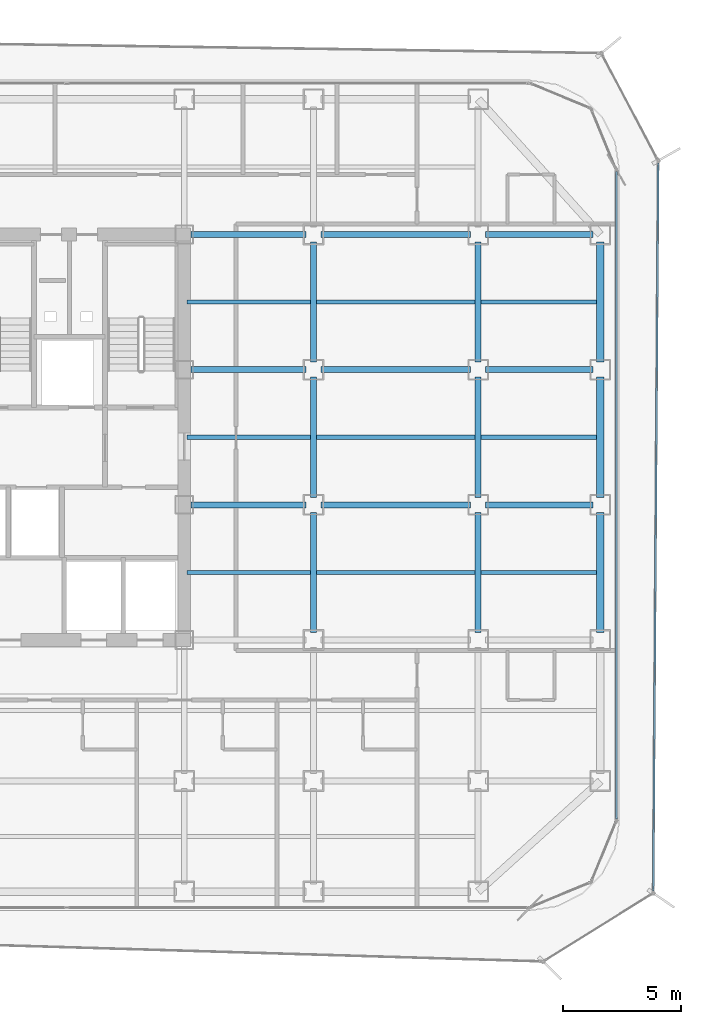
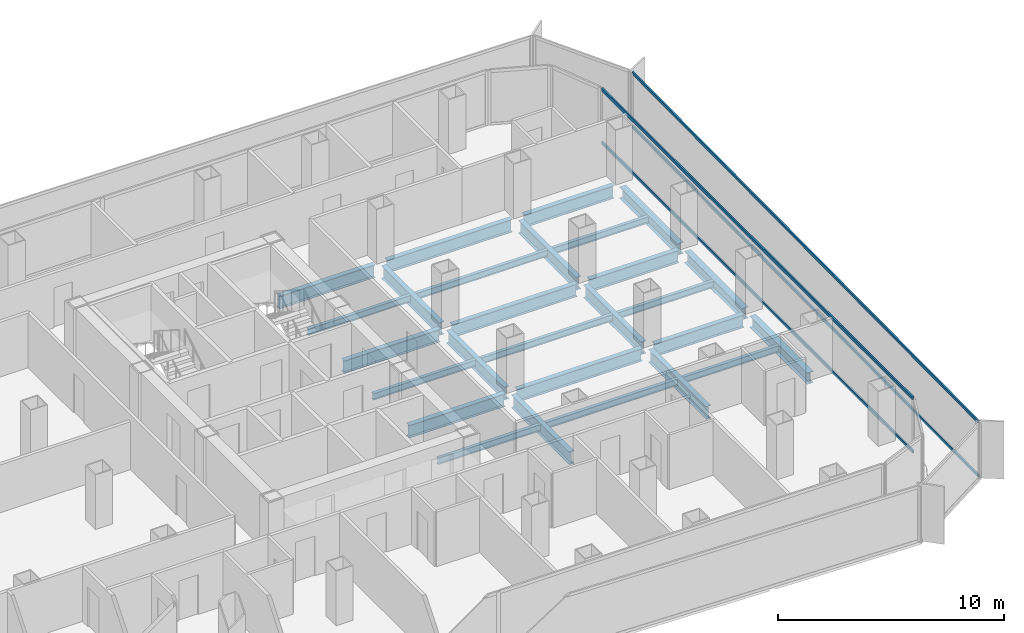
# One storey, part 9 of 21: 27 beams, 4 members, 2 elements without a shape of their own.
"""IFC4 building model written with IfcOpenShell, lengths in metres."""

from ifc_helpers import new_model, si_unit, direction, frame, origin, origin_2d, place, context, subcontext, project, spatial, hollow_rectangle, i_section, extrude, source, transform, mapped, material, layer, layer_set, material_profile, profile_set, type_object, element, aggregate, save


model = new_model("IFC4")

# Units and contexts
model_context = context("Model", 3, precision=1e-05, world=origin(), true_north=direction((0.0, 1.0)))
body_context = subcontext(model_context, "Body", "Model", "MODEL_VIEW")
ifc_project = project(units=[si_unit("LENGTHUNIT", "METRE"), si_unit("AREAUNIT", "SQUARE_METRE"), si_unit("VOLUMEUNIT", "CUBIC_METRE"), si_unit("PLANEANGLEUNIT", "RADIAN"), si_unit("MASSUNIT", "GRAM", prefix="KILO")], contexts=[model_context])

# Site, building, storey
site_placement = place(None, origin())
site = spatial("IfcSite", under=ifc_project, at=site_placement, CompositionType="ELEMENT")
building_placement = place(site_placement, origin())
building = spatial("IfcBuilding", under=site, at=building_placement, Name="Kolveth Station Tower", CompositionType="ELEMENT")
storey_placement = place(building_placement, frame((0.0, 0.0, 115.10009765625)))
storey = spatial("IfcBuildingStorey", under=building, at=storey_placement, Name="L31", CompositionType="ELEMENT", Elevation=115.10009765625)

# Beams
ifc_material_1 = material(Name="Steel S355", Category="steel")
ifc_material_profile_1 = material_profile(ifc_material_1, i_section(OverallWidth=0.323974609375, OverallDepth=0.611083984375, WebThickness=0.0126953125, FlangeThickness=0.01904296875, at=origin_2d()), Name="W610x155")
ifc_profile_set_1 = profile_set([ifc_material_profile_1], Name="Steel S355")
beam_type_1 = type_object("IfcBeamType", Name="Beam_SP2", PredefinedType="SPANDREL", material=ifc_profile_set_1)
shared_shape_1 = source(origin(), body_context, "Body", "SweptSolid", [
    extrude(i_section(OverallWidth=0.323974609375, OverallDepth=0.611083984375, WebThickness=0.0126953125, FlangeThickness=0.01904296875, at=origin_2d()), origin(), (0.0, 0.0, 1.0), 5.10986328125),
])
for number, where, z_axis, x_axis, name in (
    (1, (46.199951171875, 11.820068359375, -0.5556640625), (0.0, 1.0, 0.0), (-1.0, 0.0, 0.0), "L31 Perimeter Spandrel BM-L31-PE-2"),
    (2, (46.199951171875, 17.570068359375, -0.5556640625), (0.0, 1.0, 0.0), (-1.0, 0.0, 0.0), "L31 Perimeter Spandrel BM-L31-PE-3"),
    (3, (46.199951171875, 23.320068359375, -0.5556640625), (0.0, 1.0, 0.0), (-1.0, 0.0, 0.0), "L31 Perimeter Spandrel BM-L31-PE-4"),
):
    element("IfcBeam", number, at=place(storey_placement, frame(where, z_axis=z_axis, x_axis=x_axis)), inside=storey, type_object=beam_type_1, Name=name, PredefinedType="SPANDREL", context=body_context, shape_type="MappedRepresentation", body=[
        mapped(shared_shape_1, transform((0.0, 0.0, 0.0), x_axis=(1.0, 0.0, 0.0), y_axis=(0.0, 1.0, 0.0), z_axis=(0.0, 0.0, 1.0), scale=1.0)),
    ])
ifc_material_profile_2 = material_profile(ifc_material_1, i_section(OverallWidth=0.25390625, OverallDepth=0.68798828125, WebThickness=0.01318359375, FlangeThickness=0.02099609375, at=origin_2d()), Name="W690x152")
ifc_profile_set_2 = profile_set([ifc_material_profile_2], Name="Steel S355")
beam_type_2 = type_object("IfcBeamType", Name="Beam_B4", PredefinedType="BEAM", material=ifc_profile_set_2)
shared_shape_2 = source(origin(), body_context, "Body", "SweptSolid", [
    extrude(i_section(OverallWidth=0.25390625, OverallDepth=0.68798828125, WebThickness=0.01318359375, FlangeThickness=0.02099609375, at=origin_2d()), origin(), (0.0, 0.0, 1.0), 4.559814453125),
])
for number, where, z_axis, x_axis, name in (
    (4, (41.320068359375, 17.25, -0.593994140625), (1.0, 0.0, 0.0), (0.0, 1.0, 0.0), "L31 Primary Girder BM-L31-GY172-7"),
    (5, (41.320068359375, 23.0, -0.593994140625), (1.0, 0.0, 0.0), (0.0, 1.0, 0.0), "L31 Primary Girder BM-L31-GY230-7"),
    (6, (41.320068359375, 28.75, -0.593994140625), (1.0, 0.0, 0.0), (0.0, 1.0, 0.0), "L31 Primary Girder BM-L31-GY287-7"),
):
    element("IfcBeam", number, at=place(storey_placement, frame(where, z_axis=z_axis, x_axis=x_axis)), inside=storey, type_object=beam_type_2, Name=name, PredefinedType="BEAM", context=body_context, shape_type="MappedRepresentation", body=[
        mapped(shared_shape_2, transform((0.0, 0.0, 0.0), x_axis=(1.0, 0.0, 0.0), y_axis=(0.0, 1.0, 0.0), z_axis=(0.0, 0.0, 1.0), scale=1.0)),
    ])
shared_shape_3 = source(origin(), body_context, "Body", "SweptSolid", [
    extrude(i_section(OverallWidth=0.25390625, OverallDepth=0.68798828125, WebThickness=0.01318359375, FlangeThickness=0.02099609375, at=origin_2d()), origin(), (0.0, 0.0, 1.0), 6.35986328125),
])
for number, where, z_axis, x_axis, name in (
    (7, (34.320068359375, 17.25, -0.593994140625), (1.0, 0.0, 0.0), (0.0, 1.0, 0.0), "L31 Primary Girder BM-L31-GY172-6"),
    (8, (34.320068359375, 23.0, -0.593994140625), (1.0, 0.0, 0.0), (0.0, 1.0, 0.0), "L31 Primary Girder BM-L31-GY230-6"),
    (9, (34.320068359375, 28.75, -0.593994140625), (1.0, 0.0, 0.0), (0.0, 1.0, 0.0), "L31 Primary Girder BM-L31-GY287-6"),
):
    element("IfcBeam", number, at=place(storey_placement, frame(where, z_axis=z_axis, x_axis=x_axis)), inside=storey, type_object=beam_type_2, Name=name, PredefinedType="BEAM", context=body_context, shape_type="MappedRepresentation", body=[
        mapped(shared_shape_3, transform((0.0, 0.0, 0.0), x_axis=(1.0, 0.0, 0.0), y_axis=(0.0, 1.0, 0.0), z_axis=(0.0, 0.0, 1.0), scale=1.0)),
    ])
shared_shape_4 = source(origin(), body_context, "Body", "SweptSolid", [
    extrude(i_section(OverallWidth=0.25390625, OverallDepth=0.68798828125, WebThickness=0.01318359375, FlangeThickness=0.02099609375, at=origin_2d()), origin(), (0.0, 0.0, 1.0), 4.89990234375),
])
for number, where, z_axis, x_axis, name in (
    (10, (28.780029296875, 17.25, -0.593994140625), (1.0, 0.0, 0.0), (0.0, 1.0, 0.0), "L31 Primary Girder BM-L31-GY172-5"),
    (11, (28.780029296875, 23.0, -0.593994140625), (1.0, 0.0, 0.0), (0.0, 1.0, 0.0), "L31 Primary Girder BM-L31-GY230-5"),
    (12, (28.780029296875, 28.75, -0.593994140625), (1.0, 0.0, 0.0), (0.0, 1.0, 0.0), "L31 Primary Girder BM-L31-GY287-5"),
):
    element("IfcBeam", number, at=place(storey_placement, frame(where, z_axis=z_axis, x_axis=x_axis)), inside=storey, type_object=beam_type_2, Name=name, PredefinedType="BEAM", context=body_context, shape_type="MappedRepresentation", body=[
        mapped(shared_shape_4, transform((0.0, 0.0, 0.0), x_axis=(1.0, 0.0, 0.0), y_axis=(0.0, 1.0, 0.0), z_axis=(0.0, 0.0, 1.0), scale=1.0)),
    ])
shared_shape_5 = source(origin(), body_context, "Body", "SweptSolid", [
    extrude(i_section(OverallWidth=0.25390625, OverallDepth=0.68798828125, WebThickness=0.01318359375, FlangeThickness=0.02099609375, at=origin_2d()), origin(), (0.0, 0.0, 1.0), 5.10986328125),
])
for number, where, z_axis, x_axis, name in (
    (13, (34.0, 11.820068359375, -0.593994140625), (0.0, 1.0, 0.0), (-1.0, 0.0, 0.0), "L31 Primary Girder BM-L31-GX340-3"),
    (14, (34.0, 17.570068359375, -0.593994140625), (0.0, 1.0, 0.0), (-1.0, 0.0, 0.0), "L31 Primary Girder BM-L31-GX340-4"),
    (15, (34.0, 23.320068359375, -0.593994140625), (0.0, 1.0, 0.0), (-1.0, 0.0, 0.0), "L31 Primary Girder BM-L31-GX340-5"),
    (16, (41.0, 11.820068359375, -0.593994140625), (0.0, 1.0, 0.0), (-1.0, 0.0, 0.0), "L31 Primary Girder BM-L31-GX410-3"),
    (17, (41.0, 17.570068359375, -0.593994140625), (0.0, 1.0, 0.0), (-1.0, 0.0, 0.0), "L31 Primary Girder BM-L31-GX410-4"),
    (18, (41.0, 23.320068359375, -0.593994140625), (0.0, 1.0, 0.0), (-1.0, 0.0, 0.0), "L31 Primary Girder BM-L31-GX410-5"),
):
    element("IfcBeam", number, at=place(storey_placement, frame(where, z_axis=z_axis, x_axis=x_axis)), inside=storey, type_object=beam_type_2, Name=name, PredefinedType="BEAM", context=body_context, shape_type="MappedRepresentation", body=[
        mapped(shared_shape_5, transform((0.0, 0.0, 0.0), x_axis=(1.0, 0.0, 0.0), y_axis=(0.0, 1.0, 0.0), z_axis=(0.0, 0.0, 1.0), scale=1.0)),
    ])
ifc_material_profile_3 = material_profile(ifc_material_1, i_section(OverallWidth=0.1708984375, OverallDepth=0.35205078125, WebThickness=0.0068359375, FlangeThickness=0.009765625, at=origin_2d()), Name="W360x44")
ifc_profile_set_3 = profile_set([ifc_material_profile_3], Name="Steel S355")
beam_type_3 = type_object("IfcBeamType", Name="Beam_J2", PredefinedType="JOIST", material=ifc_profile_set_3)
shared_shape_6 = source(origin(), body_context, "Body", "SweptSolid", [
    extrude(i_section(OverallWidth=0.1708984375, OverallDepth=0.35205078125, WebThickness=0.0068359375, FlangeThickness=0.009765625, at=origin_2d()), origin(), (0.0, 0.0, 1.0), 4.9150390625),
])
for number, where, z_axis, x_axis, name in (
    (19, (41.125, 14.375, -0.426025390625), (1.0, 0.0, 0.0), (0.0, 1.0, 0.0), "L31 Secondary Joist JST-L31-7-3"),
    (20, (41.125, 20.125, -0.426025390625), (1.0, 0.0, 0.0), (0.0, 1.0, 0.0), "L31 Secondary Joist JST-L31-7-4"),
    (21, (41.125, 25.875, -0.426025390625), (1.0, 0.0, 0.0), (0.0, 1.0, 0.0), "L31 Secondary Joist JST-L31-7-5"),
):
    element("IfcBeam", number, at=place(storey_placement, frame(where, z_axis=z_axis, x_axis=x_axis)), inside=storey, type_object=beam_type_3, Name=name, PredefinedType="JOIST", context=body_context, shape_type="MappedRepresentation", body=[
        mapped(shared_shape_6, transform((0.0, 0.0, 0.0), x_axis=(1.0, 0.0, 0.0), y_axis=(0.0, 1.0, 0.0), z_axis=(0.0, 0.0, 1.0), scale=1.0)),
    ])
shared_shape_7 = source(origin(), body_context, "Body", "SweptSolid", [
    extrude(i_section(OverallWidth=0.1708984375, OverallDepth=0.35205078125, WebThickness=0.0068359375, FlangeThickness=0.009765625, at=origin_2d()), origin(), (0.0, 0.0, 1.0), 6.75),
])
for number, where, z_axis, x_axis, name in (
    (22, (34.125, 14.375, -0.426025390625), (1.0, 0.0, 0.0), (0.0, 1.0, 0.0), "L31 Secondary Joist JST-L31-6-3"),
    (23, (34.125, 20.125, -0.426025390625), (1.0, 0.0, 0.0), (0.0, 1.0, 0.0), "L31 Secondary Joist JST-L31-6-4"),
    (24, (34.125, 25.875, -0.426025390625), (1.0, 0.0, 0.0), (0.0, 1.0, 0.0), "L31 Secondary Joist JST-L31-6-5"),
):
    element("IfcBeam", number, at=place(storey_placement, frame(where, z_axis=z_axis, x_axis=x_axis)), inside=storey, type_object=beam_type_3, Name=name, PredefinedType="JOIST", context=body_context, shape_type="MappedRepresentation", body=[
        mapped(shared_shape_7, transform((0.0, 0.0, 0.0), x_axis=(1.0, 0.0, 0.0), y_axis=(0.0, 1.0, 0.0), z_axis=(0.0, 0.0, 1.0), scale=1.0)),
    ])
shared_shape_8 = source(origin(), body_context, "Body", "SweptSolid", [
    extrude(i_section(OverallWidth=0.1708984375, OverallDepth=0.35205078125, WebThickness=0.0068359375, FlangeThickness=0.009765625, at=origin_2d()), origin(), (0.0, 0.0, 1.0), 5.25),
])
for number, where, z_axis, x_axis, name in (
    (25, (28.625, 14.375, -0.426025390625), (1.0, 0.0, 0.0), (0.0, 1.0, 0.0), "L31 Secondary Joist JST-L31-5-3"),
    (26, (28.625, 20.125, -0.426025390625), (1.0, 0.0, 0.0), (0.0, 1.0, 0.0), "L31 Secondary Joist JST-L31-5-4"),
    (27, (28.625, 25.875, -0.426025390625), (1.0, 0.0, 0.0), (0.0, 1.0, 0.0), "L31 Secondary Joist JST-L31-5-5"),
):
    element("IfcBeam", number, at=place(storey_placement, frame(where, z_axis=z_axis, x_axis=x_axis)), inside=storey, type_object=beam_type_3, Name=name, PredefinedType="JOIST", context=body_context, shape_type="MappedRepresentation", body=[
        mapped(shared_shape_8, transform((0.0, 0.0, 0.0), x_axis=(1.0, 0.0, 0.0), y_axis=(0.0, 1.0, 0.0), z_axis=(0.0, 0.0, 1.0), scale=1.0)),
    ])

# Curtain wall, members
ifc_material_2 = material(Name="Aluminium 6063-T6 and low-E dark glass", Category="aluminium")
ifc_layer_1 = layer(ifc_material_2, 0.18994140625)
ifc_layer_set_1 = layer_set([ifc_layer_1], Name="Aluminium 6063-T6 and low-E dark glass")
curtain_wall_type_1 = type_object("IfcCurtainWallType", Name="CurtainWall_CW-Z2", PredefinedType="NOTDEFINED", material=ifc_layer_set_1)
curtain_wall_1_placement = place(storey_placement, origin())
curtain_wall_1 = element("IfcCurtainWall", 28, at=curtain_wall_1_placement, inside=storey, type_object=curtain_wall_type_1, Name="L31 Inner Thermal Curtain Wall 3", PredefinedType="NOTDEFINED")
ifc_material_3 = material(Name="Black anodized aluminium 6063-T6", Category="aluminium")
ifc_material_profile_4 = material_profile(ifc_material_3, hollow_rectangle(XDim=0.080078125, YDim=0.169921875, WallThickness=0.0048828125, at=origin_2d()), Name="ALU-80x170x5")
ifc_profile_set_4 = profile_set([ifc_material_profile_4], Name="Black anodized aluminium 6063-T6")
member_type_1 = type_object("IfcMemberType", Name="Transom_TR2", PredefinedType="USERDEFINED", material=ifc_profile_set_4)
shared_shape_9 = source(origin(), body_context, "Body", "SweptSolid", [
    extrude(hollow_rectangle(XDim=0.080078125, YDim=0.169921875, WallThickness=0.0048828125, at=origin_2d()), origin(), (0.0, 0.0, 1.0), 27.5400390625),
])
member_1_placement = place(storey_placement, frame((46.8798828125, 3.8798828125, 0.039794921875), z_axis=(0.0, 1.0, 0.0), x_axis=(-1.0, 0.0, 0.0)))
member_1 = element("IfcMember", 29, at=member_1_placement, type_object=member_type_1, Name="CW-Z2 transom 1.1", ObjectType="TRANSOM", PredefinedType="USERDEFINED", context=body_context, shape_type="MappedRepresentation", body=[
    mapped(shared_shape_9, transform((0.0, 0.0, 0.0), x_axis=(1.0, 0.0, 0.0), y_axis=(0.0, 1.0, 0.0), z_axis=(0.0, 0.0, 1.0), scale=1.0)),
])
member_2_placement = place(storey_placement, frame((46.8798828125, 3.8798828125, 2.909912109375), z_axis=(0.0, 1.0, 0.0), x_axis=(-1.0, 0.0, 0.0)))
member_2 = element("IfcMember", 30, at=member_2_placement, type_object=member_type_1, Name="CW-Z2 transom 1.2", ObjectType="TRANSOM", PredefinedType="USERDEFINED", context=body_context, shape_type="MappedRepresentation", body=[
    mapped(shared_shape_9, transform((0.0, 0.0, 0.0), x_axis=(1.0, 0.0, 0.0), y_axis=(0.0, 1.0, 0.0), z_axis=(0.0, 0.0, 1.0), scale=1.0)),
])
aggregate(curtain_wall_1, [member_1, member_2])

ifc_material_4 = material(Name="Black anodized aluminium 6063-T6 and dark solar glass", Category="aluminium")
ifc_layer_2 = layer(ifc_material_4, 0.159912109375)
ifc_layer_set_2 = layer_set([ifc_layer_2], Name="Black anodized aluminium 6063-T6 and dark solar glass")
curtain_wall_type_2 = type_object("IfcCurtainWallType", Name="OUTER SKIN CW-OS", PredefinedType="NOTDEFINED", material=ifc_layer_set_2)
curtain_wall_2_placement = place(storey_placement, origin())
curtain_wall_2 = element("IfcCurtainWall", 31, at=curtain_wall_2_placement, inside=storey, type_object=curtain_wall_type_2, Name="L31 Outer Ventilated Skin Curtain Wall 2", PredefinedType="NOTDEFINED")
ifc_material_profile_5 = material_profile(ifc_material_3, hollow_rectangle(XDim=0.080078125, YDim=0.14990234375, WallThickness=0.0048828125, at=origin_2d()), Name="ALU-80x150x5")
ifc_profile_set_5 = profile_set([ifc_material_profile_5], Name="Black anodized aluminium 6063-T6")
member_type_2 = type_object("IfcMemberType", Name="Transom_TR-OS", PredefinedType="USERDEFINED", material=ifc_profile_set_5)
shared_shape_10 = source(origin(), body_context, "Body", "SweptSolid", [
    extrude(hollow_rectangle(XDim=0.080078125, YDim=0.14990234375, WallThickness=0.0048828125, at=origin_2d()), origin(), (0.0, 0.0, 1.0), 30.977783203125),
])
member_3_placement = place(storey_placement, frame((48.449951171875, 0.821533203125, 0.039794921875), z_axis=(0.006793557069, 0.999976923525, 0.0), x_axis=(-0.999976923525, 0.006793557069, 0.0)))
member_3 = element("IfcMember", 32, at=member_3_placement, type_object=member_type_2, Name="CW-OS transom 1.1", ObjectType="TRANSOM", PredefinedType="USERDEFINED", context=body_context, shape_type="MappedRepresentation", body=[
    mapped(shared_shape_10, transform((0.0, 0.0, 0.0), x_axis=(1.0, 0.0, 0.0), y_axis=(0.0, 1.0, 0.0), z_axis=(0.0, 0.0, 1.0), scale=1.0)),
])
member_4_placement = place(storey_placement, frame((48.449951171875, 0.821533203125, 2.949951171875), z_axis=(0.006793557069, 0.999976923525, 0.0), x_axis=(-0.999976923525, 0.006793557069, 0.0)))
member_4 = element("IfcMember", 33, at=member_4_placement, type_object=member_type_2, Name="CW-OS transom 1.2", ObjectType="TRANSOM", PredefinedType="USERDEFINED", context=body_context, shape_type="MappedRepresentation", body=[
    mapped(shared_shape_10, transform((0.0, 0.0, 0.0), x_axis=(1.0, 0.0, 0.0), y_axis=(0.0, 1.0, 0.0), z_axis=(0.0, 0.0, 1.0), scale=1.0)),
])
aggregate(curtain_wall_2, [member_3, member_4])

save(model, "model.ifc")
